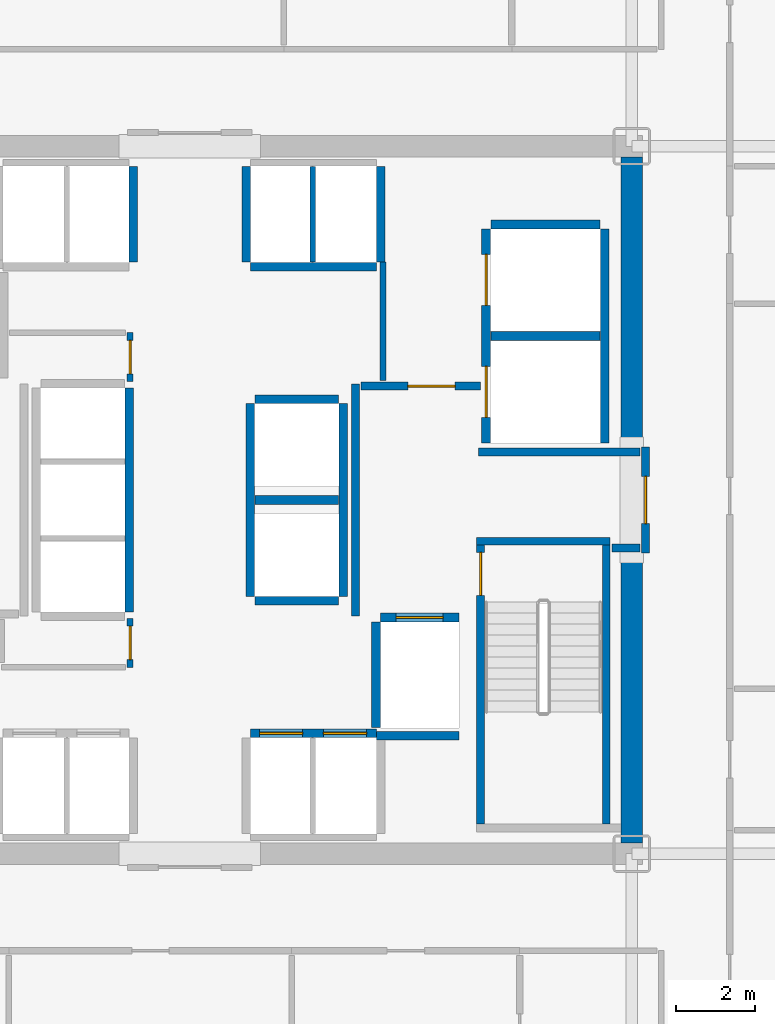
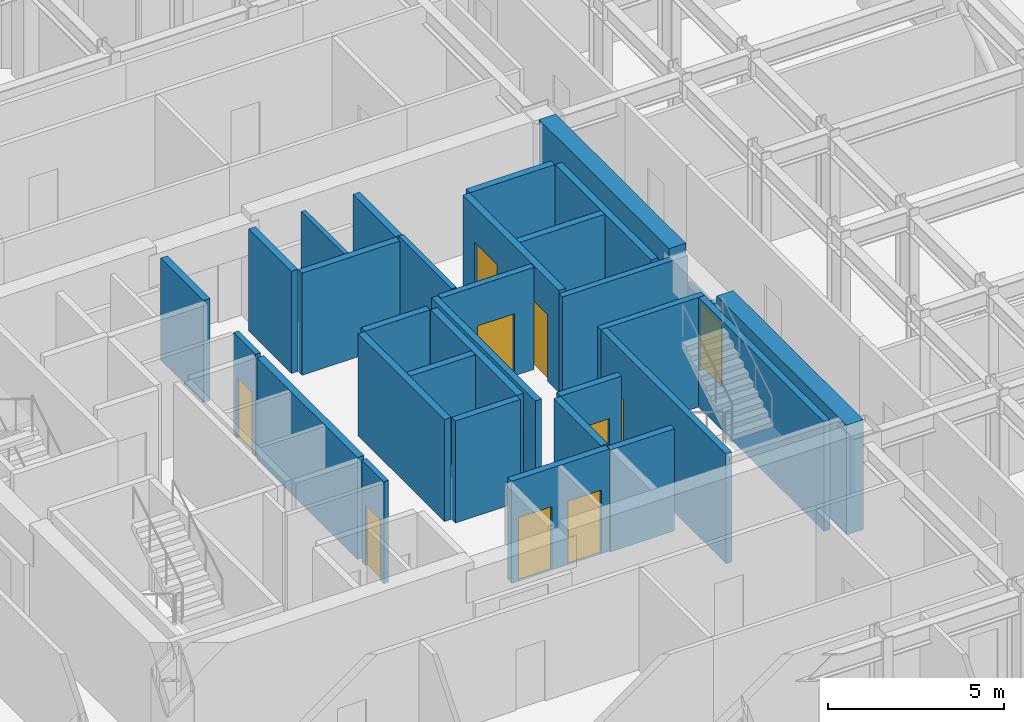
# One storey, part 22 of 27: 32 walls, 10 doors, 10 openings.
"""IFC4 building model written with IfcOpenShell, lengths in metres."""

from ifc_helpers import new_model, si_unit, direction, frame, frame_2d, origin, place, context, subcontext, project, spatial, rectangle, extrude, source, transform, mapped, material, layer, layer_set, type_object, element, fill, save


model = new_model("IFC4")

# Units and contexts
model_context = context("Model", 3, precision=1e-05, world=origin(), true_north=direction((0.0, 1.0)))
body_context = subcontext(model_context, "Body", "Model", "MODEL_VIEW")
ifc_project = project(units=[si_unit("LENGTHUNIT", "METRE"), si_unit("AREAUNIT", "SQUARE_METRE"), si_unit("VOLUMEUNIT", "CUBIC_METRE"), si_unit("PLANEANGLEUNIT", "RADIAN"), si_unit("MASSUNIT", "GRAM", prefix="KILO")], contexts=[model_context])

# Site, building, storey
site_placement = place(None, origin())
site = spatial("IfcSite", under=ifc_project, at=site_placement, CompositionType="ELEMENT")
building_placement = place(site_placement, origin())
building = spatial("IfcBuilding", under=site, at=building_placement, Name="Nefas-Gora Pilgrimage Tower", CompositionType="ELEMENT")
storey_placement = place(building_placement, frame((0.0, 0.0, 148.800048828125)))
storey = spatial("IfcBuildingStorey", under=building, at=storey_placement, Name="L36", CompositionType="ELEMENT", Elevation=148.800048828125)

# Walls
ifc_material_1 = material(Name="Concrete C60/75", Category="concrete")
ifc_layer_1 = layer(ifc_material_1, 0.550048828125)
ifc_layer_set_1 = layer_set([ifc_layer_1], Name="Concrete C60/75")
wall_type_1 = type_object("IfcWallType", Name="SW-CORE-550", PredefinedType="SHEAR", material=ifc_layer_set_1)
shared_shape_1 = source(origin(), body_context, "Body", "SweptSolid", [
    extrude(rectangle(XDim=7.375, YDim=0.550048828125, at=frame_2d((3.6875, 0.0))), origin(), (0.0, 0.0, 1.0), 3.800048828125),
])
for number, where, z_axis, x_axis, name in (
    (1, (11.25, -8.72509765625, 0.0), (0.0, 0.0, 1.0), (0.0, 1.0, 0.0), "L36 Core Shear Wall E-South"),
    (2, (11.25, 1.35009765625, 0.0), (0.0, 0.0, 1.0), (0.0, 1.0, 0.0), "L36 Core Shear Wall E-North"),
):
    element("IfcWall", number, at=place(storey_placement, frame(where, z_axis=z_axis, x_axis=x_axis)), inside=storey, type_object=wall_type_1, Name=name, PredefinedType="SHEAR", context=body_context, shape_type="MappedRepresentation", body=[
        mapped(shared_shape_1, transform((0.0, 0.0, 0.0), x_axis=(1.0, 0.0, 0.0), y_axis=(0.0, 1.0, 0.0), z_axis=(0.0, 0.0, 1.0), scale=1.0)),
    ])
ifc_material_2 = material(Name="Concrete C45/55", Category="concrete")
ifc_layer_2 = layer(ifc_material_2, 0.199951171875)
ifc_layer_set_2 = layer_set([ifc_layer_2], Name="Concrete C45/55")
wall_type_2 = type_object("IfcWallType", Name="IW-STAIR-200", PredefinedType="SOLIDWALL", material=ifc_layer_set_2)
shared_shape_2 = source(origin(), body_context, "Body", "SweptSolid", [
    extrude(rectangle(XDim=3.39990234375, YDim=0.199951171875, at=frame_2d((1.699951171875, 0.0))), origin(), (0.0, 0.0, 1.0), 3.800048828125),
])
wall_1_placement = place(storey_placement, frame((7.300048828125, -1.050048828125, 0.0), z_axis=(0.0, 0.0, 1.0), x_axis=(1.0, 0.0, 0.0)))
element("IfcWall", 3, at=wall_1_placement, inside=storey, type_object=wall_type_2, Name="L36 Stairwell Shear Wall ST-02-near", PredefinedType="SOLIDWALL", context=body_context, shape_type="MappedRepresentation", body=[
    mapped(shared_shape_2, transform((0.0, 0.0, 0.0), x_axis=(1.0, 0.0, 0.0), y_axis=(0.0, 1.0, 0.0), z_axis=(0.0, 0.0, 1.0), scale=1.0)),
])

# Wall, opening, door
shared_shape_3 = source(origin(), body_context, "Body", "SweptSolid", [
    extrude(rectangle(XDim=7.10009765625, YDim=0.199951171875, at=frame_2d((3.550048828125, 0.0))), origin(), (0.0, 0.0, 1.0), 3.800048828125),
])
wall_2_placement = place(storey_placement, frame((7.39990234375, -1.14990234375, 0.0), z_axis=(0.0, 0.0, 1.0), x_axis=(0.0, -1.0, 0.0)))
wall_2 = element("IfcWall", 4, at=wall_2_placement, inside=storey, type_object=wall_type_2, Name="L36 Stairwell Shear Wall ST-02-left", PredefinedType="SOLIDWALL", context=body_context, shape_type="MappedRepresentation", body=[
    mapped(shared_shape_3, transform((0.0, 0.0, 0.0), x_axis=(1.0, 0.0, 0.0), y_axis=(0.0, 1.0, 0.0), z_axis=(0.0, 0.0, 1.0), scale=1.0)),
])
opening_1_placement = place(wall_2_placement, frame((0.179931640625, 0.0, 0.0)))
opening_1 = element("IfcOpeningElement", 5, at=opening_1_placement, cuts=wall_2, Name="Opening ID-ST1", PredefinedType="OPENING", context=body_context, shape_type="SweptSolid", body=[
    extrude(rectangle(XDim=1.10009765625, YDim=2.14990234375, at=frame_2d((0.550048828125, 1.074951171875))), frame((0.0, 0.10986328125, 0.0), z_axis=(0.0, -1.0, 0.0), x_axis=(1.0, 0.0, 0.0)), (0.0, 0.0, 1.0), 0.219970703125),
])
ifc_material_3 = material(Name="Painted galvanised steel fire stair door", Category="steel")
door_type_1 = type_object("IfcDoorType", Name="DR-INT-STAIR-1100", OperationType="NOTDEFINED", PredefinedType="DOOR", material=ifc_material_3)
shared_shape_4 = source(origin(), body_context, "Body", "SweptSolid", [
    extrude(rectangle(XDim=1.10009765625, YDim=2.14990234375, at=frame_2d((0.550048828125, 1.074951171875))), frame((0.0, 0.02490234375, 0.0), z_axis=(0.0, -1.0, 0.0), x_axis=(1.0, 0.0, 0.0)), (0.0, 0.0, 1.0), 0.050048828125),
])
door_1_placement = place(opening_1_placement, origin())
door_1 = element("IfcDoor", 6, at=door_1_placement, inside=storey, type_object=door_type_1, Name="L36 Protected Exit Stair Door ST-02", OperationType="SINGLE_SWING_LEFT", OverallHeight=2.14990234375, OverallWidth=1.10009765625, PredefinedType="DOOR", context=body_context, shape_type="MappedRepresentation", body=[
    mapped(shared_shape_4, transform((0.0, 0.0, 0.0), x_axis=(1.0, 0.0, 0.0), y_axis=(0.0, 1.0, 0.0), z_axis=(0.0, 0.0, 1.0), scale=1.0)),
])
fill(opening_1, door_1)

# Wall
wall_3_placement = place(storey_placement, frame((10.60009765625, -1.14990234375, 0.0), z_axis=(0.0, 0.0, 1.0), x_axis=(0.0, -1.0, 0.0)))
element("IfcWall", 7, at=wall_3_placement, inside=storey, type_object=wall_type_2, Name="L36 Stairwell Shear Wall ST-02-right", PredefinedType="SOLIDWALL", context=body_context, shape_type="MappedRepresentation", body=[
    mapped(shared_shape_3, transform((0.0, 0.0, 0.0), x_axis=(1.0, 0.0, 0.0), y_axis=(0.0, 1.0, 0.0), z_axis=(0.0, 0.0, 1.0), scale=1.0)),
])

# Wall, opening, door
ifc_material_4 = material(Name="Concrete C40/50", Category="concrete")
ifc_layer_3 = layer(ifc_material_4, 0.219970703125)
ifc_layer_set_3 = layer_set([ifc_layer_3], Name="Concrete C40/50")
wall_type_3 = type_object("IfcWallType", Name="IW-SHAFT-220", PredefinedType="SOLIDWALL", material=ifc_layer_set_3)
shared_shape_5 = source(origin(), body_context, "Body", "SweptSolid", [
    extrude(rectangle(XDim=2.0, YDim=0.219970703125, at=frame_2d((1.0, 0.0))), origin(), (0.0, 0.0, 1.0), 3.534912109375),
])
wall_4_placement = place(storey_placement, frame((6.85009765625, -2.989990234375, 0.0), z_axis=(0.0, 0.0, 1.0), x_axis=(-1.0, 0.0, 0.0)))
wall_4 = element("IfcWall", 8, at=wall_4_placement, inside=storey, type_object=wall_type_3, Name="L36 Hoistway Wall FFL-02-N", PredefinedType="SOLIDWALL", context=body_context, shape_type="MappedRepresentation", body=[
    mapped(shared_shape_5, transform((0.0, 0.0, 0.0), x_axis=(1.0, 0.0, 0.0), y_axis=(0.0, 1.0, 0.0), z_axis=(0.0, 0.0, 1.0), scale=1.0)),
])
opening_2_placement = place(wall_4_placement, frame((0.39990234375, 0.0, 0.0)))
opening_2 = element("IfcOpeningElement", 9, at=opening_2_placement, cuts=wall_4, Name="Opening LD-FF", PredefinedType="OPENING", context=body_context, shape_type="SweptSolid", body=[
    extrude(rectangle(XDim=1.199951171875, YDim=2.199951171875, at=frame_2d((0.60009765625, 1.10009765625))), frame((0.0, 0.119873046875, 0.0), z_axis=(0.0, -1.0, 0.0), x_axis=(1.0, 0.0, 0.0)), (0.0, 0.0, 1.0), 0.239990234375),
])
ifc_material_5 = material(Name="Fire-service sliding lift landing door")
door_type_2 = type_object("IfcDoorType", Name="DR-LIFT-FSAE-1200", OperationType="SLIDING_TO_LEFT", PredefinedType="DOOR", material=ifc_material_5)
shared_shape_6 = source(origin(), body_context, "Body", "SweptSolid", [
    extrude(rectangle(XDim=1.199951171875, YDim=2.199951171875, at=frame_2d((0.60009765625, 1.10009765625))), frame((0.0, 0.02490234375, 0.0), z_axis=(0.0, -1.0, 0.0), x_axis=(1.0, 0.0, 0.0)), (0.0, 0.0, 1.0), 0.050048828125),
])
door_2_placement = place(opening_2_placement, origin())
door_2 = element("IfcDoor", 10, at=door_2_placement, inside=storey, type_object=door_type_2, Name="L36 Sliding Lift Landing Door FFL-02", OperationType="SLIDING_TO_LEFT", OverallHeight=2.199951171875, OverallWidth=1.199951171875, PredefinedType="DOOR", context=body_context, shape_type="MappedRepresentation", body=[
    mapped(shared_shape_6, transform((0.0, 0.0, 0.0), x_axis=(1.0, 0.0, 0.0), y_axis=(0.0, 1.0, 0.0), z_axis=(0.0, 0.0, 1.0), scale=1.0)),
])
fill(opening_2, door_2)

# Wall
shared_shape_7 = source(origin(), body_context, "Body", "SweptSolid", [
    extrude(rectangle(XDim=2.679931640625, YDim=0.219970703125, at=frame_2d((1.33984375, 0.0))), origin(), (0.0, 0.0, 1.0), 3.534912109375),
])
wall_5_placement = place(storey_placement, frame((4.739990234375, -3.110107421875, 0.0), z_axis=(0.0, 0.0, 1.0), x_axis=(0.0, -1.0, 0.0)))
element("IfcWall", 11, at=wall_5_placement, inside=storey, type_object=wall_type_3, Name="L36 Hoistway Wall FFL-02-W", PredefinedType="SOLIDWALL", context=body_context, shape_type="MappedRepresentation", body=[
    mapped(shared_shape_7, transform((0.0, 0.0, 0.0), x_axis=(1.0, 0.0, 0.0), y_axis=(0.0, 1.0, 0.0), z_axis=(0.0, 0.0, 1.0), scale=1.0)),
])

# Wall, openings, doors
shared_shape_8 = source(origin(), body_context, "Body", "SweptSolid", [
    extrude(rectangle(XDim=5.449951171875, YDim=0.219970703125, at=frame_2d((2.72509765625, 0.0))), origin(), (0.0, 0.0, 1.0), 3.534912109375),
])
wall_6_placement = place(storey_placement, frame((7.5400390625, 6.89990234375, 0.0), z_axis=(0.0, 0.0, 1.0), x_axis=(0.0, -1.0, 0.0)))
wall_6 = element("IfcWall", 12, at=wall_6_placement, inside=storey, type_object=wall_type_3, Name="L36 Hoistway Wall SL-01-02-W", PredefinedType="SOLIDWALL", context=body_context, shape_type="MappedRepresentation", body=[
    mapped(shared_shape_8, transform((0.0, 0.0, 0.0), x_axis=(1.0, 0.0, 0.0), y_axis=(0.0, 1.0, 0.0), z_axis=(0.0, 0.0, 1.0), scale=1.0)),
])
opening_3_placement = place(wall_6_placement, frame((3.5, 0.0, 0.0)))
opening_3 = element("IfcOpeningElement", 13, at=opening_3_placement, cuts=wall_6, Name="Opening LD-SV", PredefinedType="OPENING", context=body_context, shape_type="SweptSolid", body=[
    extrude(rectangle(XDim=1.300048828125, YDim=2.300048828125, at=frame_2d((0.64990234375, 1.14990234375))), frame((0.0, 0.119873046875, 0.0), z_axis=(0.0, -1.0, 0.0), x_axis=(1.0, 0.0, 0.0)), (0.0, 0.0, 1.0), 0.239990234375),
])
opening_4_placement = place(wall_6_placement, frame((0.64990234375, 0.0, 0.0)))
opening_4 = element("IfcOpeningElement", 14, at=opening_4_placement, cuts=wall_6, Name="Opening LD-SV", PredefinedType="OPENING", context=body_context, shape_type="SweptSolid", body=[
    extrude(rectangle(XDim=1.300048828125, YDim=2.300048828125, at=frame_2d((0.64990234375, 1.14990234375))), frame((0.0, 0.119873046875, 0.0), z_axis=(0.0, -1.0, 0.0), x_axis=(1.0, 0.0, 0.0)), (0.0, 0.0, 1.0), 0.239990234375),
])
ifc_material_6 = material(Name="Heavy goods sliding lift landing door")
door_type_3 = type_object("IfcDoorType", Name="DR-LIFT-SERV-1300", OperationType="SLIDING_TO_RIGHT", PredefinedType="DOOR", material=ifc_material_6)
shared_shape_9 = source(origin(), body_context, "Body", "SweptSolid", [
    extrude(rectangle(XDim=1.300048828125, YDim=2.300048828125, at=frame_2d((0.64990234375, 1.14990234375))), frame((0.0, 0.02490234375, 0.0), z_axis=(0.0, -1.0, 0.0), x_axis=(1.0, 0.0, 0.0)), (0.0, 0.0, 1.0), 0.050048828125),
])
door_3_placement = place(opening_3_placement, origin())
door_3 = element("IfcDoor", 15, at=door_3_placement, inside=storey, type_object=door_type_3, Name="L36 Sliding Lift Landing Door SL-01", OperationType="SLIDING_TO_RIGHT", OverallHeight=2.300048828125, OverallWidth=1.300048828125, PredefinedType="DOOR", context=body_context, shape_type="MappedRepresentation", body=[
    mapped(shared_shape_9, transform((0.0, 0.0, 0.0), x_axis=(1.0, 0.0, 0.0), y_axis=(0.0, 1.0, 0.0), z_axis=(0.0, 0.0, 1.0), scale=1.0)),
])
fill(opening_3, door_3)
door_4_placement = place(opening_4_placement, origin())
door_4 = element("IfcDoor", 16, at=door_4_placement, inside=storey, type_object=door_type_3, Name="L36 Sliding Lift Landing Door SL-02", OperationType="SLIDING_TO_RIGHT", OverallHeight=2.300048828125, OverallWidth=1.300048828125, PredefinedType="DOOR", context=body_context, shape_type="MappedRepresentation", body=[
    mapped(shared_shape_9, transform((0.0, 0.0, 0.0), x_axis=(1.0, 0.0, 0.0), y_axis=(0.0, 1.0, 0.0), z_axis=(0.0, 0.0, 1.0), scale=1.0)),
])
fill(opening_4, door_4)

# Walls
wall_7_placement = place(storey_placement, frame((10.56005859375, 1.449951171875, 0.0), z_axis=(0.0, 0.0, 1.0), x_axis=(0.0, 1.0, 0.0)))
element("IfcWall", 17, at=wall_7_placement, inside=storey, type_object=wall_type_3, Name="L36 Hoistway Wall SL-01-02-E", PredefinedType="SOLIDWALL", context=body_context, shape_type="MappedRepresentation", body=[
    mapped(shared_shape_8, transform((0.0, 0.0, 0.0), x_axis=(1.0, 0.0, 0.0), y_axis=(0.0, 1.0, 0.0), z_axis=(0.0, 0.0, 1.0), scale=1.0)),
])
shared_shape_10 = source(origin(), body_context, "Body", "SweptSolid", [
    extrude(rectangle(XDim=2.780029296875, YDim=0.219970703125, at=frame_2d((1.39013671875, 0.0))), origin(), (0.0, 0.0, 1.0), 3.534912109375),
])
for number, where, z_axis, x_axis, name in (
    (18, (7.659912109375, 4.175048828125, 0.0), (0.0, 0.0, 1.0), (1.0, 0.0, 0.0), "L36 Hoistway Wall SL-01-02-DIV"),
    (19, (10.43994140625, 7.010009765625, 0.0), (0.0, 0.0, 1.0), (-1.0, 0.0, 0.0), "L36 Hoistway Wall SL-02-N"),
):
    element("IfcWall", number, at=place(storey_placement, frame(where, z_axis=z_axis, x_axis=x_axis)), inside=storey, type_object=wall_type_3, Name=name, PredefinedType="SOLIDWALL", context=body_context, shape_type="MappedRepresentation", body=[
        mapped(shared_shape_10, transform((0.0, 0.0, 0.0), x_axis=(1.0, 0.0, 0.0), y_axis=(0.0, 1.0, 0.0), z_axis=(0.0, 0.0, 1.0), scale=1.0)),
    ])
shared_shape_11 = source(origin(), body_context, "Body", "SweptSolid", [
    extrude(rectangle(XDim=3.199951171875, YDim=0.219970703125, at=frame_2d((1.60009765625, 0.0))), origin(), (0.0, 0.0, 1.0), 3.534912109375),
])
wall_8_placement = place(storey_placement, frame((1.550048828125, 5.93994140625, 0.0), z_axis=(0.0, 0.0, 1.0), x_axis=(1.0, 0.0, 0.0)))
element("IfcWall", 20, at=wall_8_placement, inside=storey, type_object=wall_type_3, Name="L36 Hoistway Wall PL1-E-S", PredefinedType="SOLIDWALL", context=body_context, shape_type="MappedRepresentation", body=[
    mapped(shared_shape_11, transform((0.0, 0.0, 0.0), x_axis=(1.0, 0.0, 0.0), y_axis=(0.0, 1.0, 0.0), z_axis=(0.0, 0.0, 1.0), scale=1.0)),
])

# Wall, openings, doors
wall_9_placement = place(storey_placement, frame((4.75, -5.93994140625, 0.0), z_axis=(0.0, 0.0, 1.0), x_axis=(-1.0, 0.0, 0.0)))
wall_9 = element("IfcWall", 21, at=wall_9_placement, inside=storey, type_object=wall_type_3, Name="L36 Hoistway Wall PL2-E-N", PredefinedType="SOLIDWALL", context=body_context, shape_type="MappedRepresentation", body=[
    mapped(shared_shape_11, transform((0.0, 0.0, 0.0), x_axis=(1.0, 0.0, 0.0), y_axis=(0.0, 1.0, 0.0), z_axis=(0.0, 0.0, 1.0), scale=1.0)),
])
opening_5_placement = place(wall_9_placement, frame((1.875, 0.0, 0.0)))
opening_5 = element("IfcOpeningElement", 22, at=opening_5_placement, cuts=wall_9, Name="Opening LD-01", PredefinedType="OPENING", context=body_context, shape_type="SweptSolid", body=[
    extrude(rectangle(XDim=1.10009765625, YDim=2.199951171875, at=frame_2d((0.550048828125, 1.10009765625))), frame((0.0, 0.119873046875, 0.0), z_axis=(0.0, -1.0, 0.0), x_axis=(1.0, 0.0, 0.0)), (0.0, 0.0, 1.0), 0.239990234375),
])
opening_6_placement = place(wall_9_placement, frame((0.25, 0.0, 0.0)))
opening_6 = element("IfcOpeningElement", 23, at=opening_6_placement, cuts=wall_9, Name="Opening LD-01", PredefinedType="OPENING", context=body_context, shape_type="SweptSolid", body=[
    extrude(rectangle(XDim=1.10009765625, YDim=2.199951171875, at=frame_2d((0.550048828125, 1.10009765625))), frame((0.0, 0.119873046875, 0.0), z_axis=(0.0, -1.0, 0.0), x_axis=(1.0, 0.0, 0.0)), (0.0, 0.0, 1.0), 0.239990234375),
])
ifc_material_7 = material(Name="Brushed stainless sliding lift landing door")
door_type_4 = type_object("IfcDoorType", Name="DR-LIFT-PASS-1100", OperationType="DOUBLE_DOOR_SLIDING", PredefinedType="DOOR", material=ifc_material_7)
shared_shape_12 = source(origin(), body_context, "Body", "SweptSolid", [
    extrude(rectangle(XDim=1.10009765625, YDim=2.199951171875, at=frame_2d((0.550048828125, 1.10009765625))), frame((0.0, 0.02490234375, 0.0), z_axis=(0.0, -1.0, 0.0), x_axis=(1.0, 0.0, 0.0)), (0.0, 0.0, 1.0), 0.050048828125),
])
door_5_placement = place(opening_5_placement, origin())
door_5 = element("IfcDoor", 24, at=door_5_placement, inside=storey, type_object=door_type_4, Name="L36 Sliding Lift Landing Door PL2-03", OperationType="DOUBLE_DOOR_SLIDING", OverallHeight=2.199951171875, OverallWidth=1.10009765625, PredefinedType="DOOR", context=body_context, shape_type="MappedRepresentation", body=[
    mapped(shared_shape_12, transform((0.0, 0.0, 0.0), x_axis=(1.0, 0.0, 0.0), y_axis=(0.0, 1.0, 0.0), z_axis=(0.0, 0.0, 1.0), scale=1.0)),
])
fill(opening_5, door_5)
door_6_placement = place(opening_6_placement, origin())
door_6 = element("IfcDoor", 25, at=door_6_placement, inside=storey, type_object=door_type_4, Name="L36 Sliding Lift Landing Door PL2-04", OperationType="DOUBLE_DOOR_SLIDING", OverallHeight=2.199951171875, OverallWidth=1.10009765625, PredefinedType="DOOR", context=body_context, shape_type="MappedRepresentation", body=[
    mapped(shared_shape_12, transform((0.0, 0.0, 0.0), x_axis=(1.0, 0.0, 0.0), y_axis=(0.0, 1.0, 0.0), z_axis=(0.0, 0.0, 1.0), scale=1.0)),
])
fill(opening_6, door_6)

# Walls
shared_shape_13 = source(origin(), body_context, "Body", "SweptSolid", [
    extrude(rectangle(XDim=2.429931640625, YDim=0.219970703125, at=frame_2d((1.21484375, 0.0))), origin(), (0.0, 0.0, 1.0), 3.534912109375),
])
for number, where, z_axis, x_axis, name in (
    (26, (-1.43994140625, 6.06005859375, 0.0), (0.0, 0.0, 1.0), (0.0, 1.0, 0.0), "L36 Hoistway Wall PL1-W-E"),
    (27, (1.43994140625, 8.489990234375, 0.0), (0.0, 0.0, 1.0), (0.0, -1.0, 0.0), "L36 Hoistway Wall PL1-E-W"),
    (28, (4.860107421875, 6.06005859375, 0.0), (0.0, 0.0, 1.0), (0.0, 1.0, 0.0), "L36 Hoistway Wall PL1-E-E"),
):
    element("IfcWall", number, at=place(storey_placement, frame(where, z_axis=z_axis, x_axis=x_axis)), inside=storey, type_object=wall_type_3, Name=name, PredefinedType="SOLIDWALL", context=body_context, shape_type="MappedRepresentation", body=[
        mapped(shared_shape_13, transform((0.0, 0.0, 0.0), x_axis=(1.0, 0.0, 0.0), y_axis=(0.0, 1.0, 0.0), z_axis=(0.0, 0.0, 1.0), scale=1.0)),
    ])
ifc_material_8 = material(Name="Gypsum twin-stud partition")
ifc_layer_4 = layer(ifc_material_8, 0.139892578125)
ifc_layer_set_4 = layer_set([ifc_layer_4], Name="Gypsum twin-stud partition")
wall_type_4 = type_object("IfcWallType", Name="IW-UNIT-140", PredefinedType="PARTITIONING", material=ifc_layer_set_4)
shared_shape_14 = source(origin(), body_context, "Body", "SweptSolid", [
    extrude(rectangle(XDim=2.429931640625, YDim=0.139892578125, at=frame_2d((1.21484375, 0.0))), origin(), (0.0, 0.0, 1.0), 3.534912109375),
])
wall_10_placement = place(storey_placement, frame((3.125, 6.06005859375, 0.0), z_axis=(0.0, 0.0, 1.0), x_axis=(0.0, 1.0, 0.0)))
element("IfcWall", 29, at=wall_10_placement, inside=storey, type_object=wall_type_4, Name="L36 Hoistway Wall PL1-E-DIV", PredefinedType="PARTITIONING", context=body_context, shape_type="MappedRepresentation", body=[
    mapped(shared_shape_14, transform((0.0, 0.0, 0.0), x_axis=(1.0, 0.0, 0.0), y_axis=(0.0, 1.0, 0.0), z_axis=(0.0, 0.0, 1.0), scale=1.0)),
])
shared_shape_15 = source(origin(), body_context, "Body", "SweptSolid", [
    extrude(rectangle(XDim=5.7001953125, YDim=0.219970703125, at=frame_2d((2.85009765625, 0.0))), origin(), (0.0, 0.0, 1.0), 3.534912109375),
])
wall_11_placement = place(storey_placement, frame((-1.5400390625, -2.85009765625, 0.0), z_axis=(0.0, 0.0, 1.0), x_axis=(0.0, 1.0, 0.0)))
element("IfcWall", 30, at=wall_11_placement, inside=storey, type_object=wall_type_3, Name="L36 Hoistway Wall PL3-01-03-E", PredefinedType="SOLIDWALL", context=body_context, shape_type="MappedRepresentation", body=[
    mapped(shared_shape_15, transform((0.0, 0.0, 0.0), x_axis=(1.0, 0.0, 0.0), y_axis=(0.0, 1.0, 0.0), z_axis=(0.0, 0.0, 1.0), scale=1.0)),
])
shared_shape_16 = source(origin(), body_context, "Body", "SweptSolid", [
    extrude(rectangle(XDim=2.130126953125, YDim=0.219970703125, at=frame_2d((1.06494140625, 0.0))), origin(), (0.0, 0.0, 1.0), 3.534912109375),
])
for number, where, z_axis, x_axis, name in (
    (31, (1.659912109375, -2.56005859375, 0.0), (0.0, 0.0, 1.0), (1.0, 0.0, 0.0), "L36 Hoistway Wall OBS-01-S"),
    (32, (1.659912109375, 0.0, 0.0), (0.0, 0.0, 1.0), (1.0, 0.0, 0.0), "L36 Hoistway Wall OBS-01-02-DIV"),
    (33, (3.7900390625, 2.56005859375, 0.0), (0.0, 0.0, 1.0), (-1.0, 0.0, 0.0), "L36 Hoistway Wall OBS-02-N"),
):
    element("IfcWall", number, at=place(storey_placement, frame(where, z_axis=z_axis, x_axis=x_axis)), inside=storey, type_object=wall_type_3, Name=name, PredefinedType="SOLIDWALL", context=body_context, shape_type="MappedRepresentation", body=[
        mapped(shared_shape_16, transform((0.0, 0.0, 0.0), x_axis=(1.0, 0.0, 0.0), y_axis=(0.0, 1.0, 0.0), z_axis=(0.0, 0.0, 1.0), scale=1.0)),
    ])
shared_shape_17 = source(origin(), body_context, "Body", "SweptSolid", [
    extrude(rectangle(XDim=4.89990234375, YDim=0.219970703125, at=frame_2d((2.449951171875, 0.0))), origin(), (0.0, 0.0, 1.0), 3.534912109375),
])
for number, where, z_axis, x_axis, name in (
    (34, (1.5400390625, 2.449951171875, 0.0), (0.0, 0.0, 1.0), (0.0, -1.0, 0.0), "L36 Hoistway Wall OBS-01-02-W"),
    (35, (3.909912109375, -2.449951171875, 0.0), (0.0, 0.0, 1.0), (0.0, 1.0, 0.0), "L36 Hoistway Wall OBS-01-02-E"),
):
    element("IfcWall", number, at=place(storey_placement, frame(where, z_axis=z_axis, x_axis=x_axis)), inside=storey, type_object=wall_type_3, Name=name, PredefinedType="SOLIDWALL", context=body_context, shape_type="MappedRepresentation", body=[
        mapped(shared_shape_17, transform((0.0, 0.0, 0.0), x_axis=(1.0, 0.0, 0.0), y_axis=(0.0, 1.0, 0.0), z_axis=(0.0, 0.0, 1.0), scale=1.0)),
    ])
shared_shape_18 = source(origin(), body_context, "Body", "SweptSolid", [
    extrude(rectangle(XDim=2.09521484375, YDim=0.219970703125, at=frame_2d((1.047607421875, 0.0))), origin(), (0.0, 0.0, 1.0), 3.534912109375),
])
wall_12_placement = place(storey_placement, frame((4.7548828125, -6.0, 0.0), z_axis=(0.0, 0.0, 1.0), x_axis=(1.0, 0.0, 0.0)))
element("IfcWall", 36, at=wall_12_placement, inside=storey, type_object=wall_type_3, Name="L36 Riser Shaft Wall 2", PredefinedType="SOLIDWALL", context=body_context, shape_type="MappedRepresentation", body=[
    mapped(shared_shape_18, transform((0.0, 0.0, 0.0), x_axis=(1.0, 0.0, 0.0), y_axis=(0.0, 1.0, 0.0), z_axis=(0.0, 0.0, 1.0), scale=1.0)),
])

# Wall, opening, door
ifc_material_9 = material(Name="Gypsum fire-rated shaftwall")
ifc_layer_5 = layer(ifc_material_9, 0.199951171875)
ifc_layer_set_5 = layer_set([ifc_layer_5], Name="Gypsum fire-rated shaftwall")
wall_type_5 = type_object("IfcWallType", Name="IW-FFLOB-200", PredefinedType="PARTITIONING", material=ifc_layer_set_5)
shared_shape_19 = source(origin(), body_context, "Body", "SweptSolid", [
    extrude(rectangle(XDim=2.7001953125, YDim=0.199951171875, at=frame_2d((1.35009765625, 0.0))), origin(), (0.0, 0.0, 1.0), 2.425048828125),
])
wall_13_placement = place(storey_placement, frame((11.60009765625, -1.35009765625, 0.0), z_axis=(0.0, 0.0, 1.0), x_axis=(0.0, 1.0, 0.0)))
wall_13 = element("IfcWall", 37, at=wall_13_placement, inside=storey, type_object=wall_type_5, Name="L36 FF Lobby East Portal Wall 8", PredefinedType="PARTITIONING", context=body_context, shape_type="MappedRepresentation", body=[
    mapped(shared_shape_19, transform((0.0, 0.0, 0.0), x_axis=(1.0, 0.0, 0.0), y_axis=(0.0, 1.0, 0.0), z_axis=(0.0, 0.0, 1.0), scale=1.0)),
])
opening_7_placement = place(wall_13_placement, frame((0.75, 0.0, 0.0)))
opening_7 = element("IfcOpeningElement", 38, at=opening_7_placement, cuts=wall_13, Name="Opening ID-FF1", PredefinedType="OPENING", context=body_context, shape_type="SweptSolid", body=[
    extrude(rectangle(XDim=1.199951171875, YDim=2.14990234375, at=frame_2d((0.60009765625, 1.074951171875))), frame((0.0, 0.10986328125, 0.0), z_axis=(0.0, -1.0, 0.0), x_axis=(1.0, 0.0, 0.0)), (0.0, 0.0, 1.0), 0.219970703125),
])
ifc_material_10 = material(Name="Smoke-sealed steel firefighting lobby door", Category="steel")
door_type_5 = type_object("IfcDoorType", Name="DR-INT-FFLOB-1200", OperationType="NOTDEFINED", PredefinedType="DOOR", material=ifc_material_10)
shared_shape_20 = source(origin(), body_context, "Body", "SweptSolid", [
    extrude(rectangle(XDim=1.199951171875, YDim=2.14990234375, at=frame_2d((0.60009765625, 1.074951171875))), frame((0.0, 0.02490234375, 0.0), z_axis=(0.0, -1.0, 0.0), x_axis=(1.0, 0.0, 0.0)), (0.0, 0.0, 1.0), 0.050048828125),
])
door_7_placement = place(opening_7_placement, origin())
door_7 = element("IfcDoor", 39, at=door_7_placement, inside=storey, type_object=door_type_5, Name="L36 FF Lobby East Portal Door 2", OperationType="SINGLE_SWING_RIGHT", OverallHeight=2.14990234375, OverallWidth=1.199951171875, PredefinedType="DOOR", context=body_context, shape_type="MappedRepresentation", body=[
    mapped(shared_shape_20, transform((0.0, 0.0, 0.0), x_axis=(1.0, 0.0, 0.0), y_axis=(0.0, 1.0, 0.0), z_axis=(0.0, 0.0, 1.0), scale=1.0)),
])
fill(opening_7, door_7)

# Walls
shared_shape_21 = source(origin(), body_context, "Body", "SweptSolid", [
    extrude(rectangle(XDim=5.89990234375, YDim=0.199951171875, at=frame_2d((2.949951171875, 0.0))), origin(), (0.0, 0.0, 1.0), 3.534912109375),
])
wall_14_placement = place(storey_placement, frame((4.219970703125, -2.949951171875, 0.0), z_axis=(0.0, 0.0, 1.0), x_axis=(0.0, 1.0, 0.0)))
element("IfcWall", 40, at=wall_14_placement, inside=storey, type_object=wall_type_5, Name="L36 FF Lobby East Inner Wall Wall 9", PredefinedType="PARTITIONING", context=body_context, shape_type="MappedRepresentation", body=[
    mapped(shared_shape_21, transform((0.0, 0.0, 0.0), x_axis=(1.0, 0.0, 0.0), y_axis=(0.0, 1.0, 0.0), z_axis=(0.0, 0.0, 1.0), scale=1.0)),
])
shared_shape_22 = source(origin(), body_context, "Body", "SweptSolid", [
    extrude(rectangle(XDim=0.719970703125, YDim=0.199951171875, at=frame_2d((0.35986328125, 0.0))), origin(), (0.0, 0.0, 1.0), 3.534912109375),
])
wall_15_placement = place(storey_placement, frame((10.739990234375, -1.219970703125, 0.0), z_axis=(0.0, 0.0, 1.0), x_axis=(1.0, 0.0, 0.0)))
element("IfcWall", 41, at=wall_15_placement, inside=storey, type_object=wall_type_5, Name="L36 FF Lobby East Throat S Wall 12", PredefinedType="PARTITIONING", context=body_context, shape_type="MappedRepresentation", body=[
    mapped(shared_shape_22, transform((0.0, 0.0, 0.0), x_axis=(1.0, 0.0, 0.0), y_axis=(0.0, 1.0, 0.0), z_axis=(0.0, 0.0, 1.0), scale=1.0)),
])

# Wall, opening, door
shared_shape_23 = source(origin(), body_context, "Body", "SweptSolid", [
    extrude(rectangle(XDim=3.039794921875, YDim=0.199951171875, at=frame_2d((1.52001953125, 0.0))), origin(), (0.0, 0.0, 1.0), 3.534912109375),
])
wall_16_placement = place(storey_placement, frame((4.360107421875, 2.89990234375, 0.0), z_axis=(0.0, 0.0, 1.0), x_axis=(1.0, 0.0, 0.0)))
wall_16 = element("IfcWall", 42, at=wall_16_placement, inside=storey, type_object=wall_type_5, Name="L36 FF Lobby East North Wall Wall 10", PredefinedType="PARTITIONING", context=body_context, shape_type="MappedRepresentation", body=[
    mapped(shared_shape_23, transform((0.0, 0.0, 0.0), x_axis=(1.0, 0.0, 0.0), y_axis=(0.0, 1.0, 0.0), z_axis=(0.0, 0.0, 1.0), scale=1.0)),
])
opening_8_placement = place(wall_16_placement, frame((1.18994140625, 0.0, 0.0)))
opening_8 = element("IfcOpeningElement", 43, at=opening_8_placement, cuts=wall_16, Name="Opening ID-PL1", PredefinedType="OPENING", context=body_context, shape_type="SweptSolid", body=[
    extrude(rectangle(XDim=1.199951171875, YDim=2.14990234375, at=frame_2d((0.60009765625, 1.074951171875))), frame((0.0, 0.10986328125, 0.0), z_axis=(0.0, -1.0, 0.0), x_axis=(1.0, 0.0, 0.0)), (0.0, 0.0, 1.0), 0.219970703125),
])
ifc_material_11 = material(Name="Heavy-duty steel plant room fire door", Category="steel")
door_type_6 = type_object("IfcDoorType", Name="DR-INT-PLANT-1200", OperationType="NOTDEFINED", PredefinedType="DOOR", material=ifc_material_11)
door_8_placement = place(opening_8_placement, origin())
door_8 = element("IfcDoor", 44, at=door_8_placement, inside=storey, type_object=door_type_6, Name="L36 Service Lift Lobby Door Door 3", OperationType="SINGLE_SWING_LEFT", OverallHeight=2.14990234375, OverallWidth=1.199951171875, PredefinedType="DOOR", context=body_context, shape_type="MappedRepresentation", body=[
    mapped(shared_shape_20, transform((0.0, 0.0, 0.0), x_axis=(1.0, 0.0, 0.0), y_axis=(0.0, 1.0, 0.0), z_axis=(0.0, 0.0, 1.0), scale=1.0)),
])
fill(opening_8, door_8)

# Walls
shared_shape_24 = source(origin(), body_context, "Body", "SweptSolid", [
    extrude(rectangle(XDim=4.10986328125, YDim=0.199951171875, at=frame_2d((2.054931640625, 0.0))), origin(), (0.0, 0.0, 1.0), 3.534912109375),
])
wall_17_placement = place(storey_placement, frame((7.35009765625, 1.219970703125, 0.0), z_axis=(0.0, 0.0, 1.0), x_axis=(1.0, 0.0, 0.0)))
element("IfcWall", 45, at=wall_17_placement, inside=storey, type_object=wall_type_5, Name="L36 FF Lobby East Throat N Wall 11", PredefinedType="PARTITIONING", context=body_context, shape_type="MappedRepresentation", body=[
    mapped(shared_shape_24, transform((0.0, 0.0, 0.0), x_axis=(1.0, 0.0, 0.0), y_axis=(0.0, 1.0, 0.0), z_axis=(0.0, 0.0, 1.0), scale=1.0)),
])
ifc_material_12 = material(Name="Gypsum acoustic stud partition")
ifc_layer_6 = layer(ifc_material_12, 0.159912109375)
ifc_layer_set_6 = layer_set([ifc_layer_6], Name="Gypsum acoustic stud partition")
wall_type_6 = type_object("IfcWallType", Name="IW-CORR-160", PredefinedType="PARTITIONING", material=ifc_layer_set_6)
shared_shape_25 = source(origin(), body_context, "Body", "SweptSolid", [
    extrude(rectangle(XDim=3.014892578125, YDim=0.159912109375, at=frame_2d((1.50732421875, 0.0))), origin(), (0.0, 0.0, 1.0), 3.534912109375),
])
wall_18_placement = place(storey_placement, frame((4.919921875, 3.0400390625, 0.0), z_axis=(0.0, 0.0, 1.0), x_axis=(0.0, 1.0, 0.0)))
element("IfcWall", 46, at=wall_18_placement, inside=storey, type_object=wall_type_6, Name="L36 Service Lift Lobby West Wall Wall 15", PredefinedType="PARTITIONING", context=body_context, shape_type="MappedRepresentation", body=[
    mapped(shared_shape_25, transform((0.0, 0.0, 0.0), x_axis=(1.0, 0.0, 0.0), y_axis=(0.0, 1.0, 0.0), z_axis=(0.0, 0.0, 1.0), scale=1.0)),
])

# Wall, opening, door
shared_shape_26 = source(origin(), body_context, "Body", "SweptSolid", [
    extrude(rectangle(XDim=1.25, YDim=0.159912109375, at=frame_2d((0.625, 0.0))), origin(), (0.0, 0.0, 1.0), 3.534912109375),
])
wall_19_placement = place(storey_placement, frame((-1.52001953125, 3.010009765625, 0.0), z_axis=(0.0, 0.0, 1.0), x_axis=(0.0, 1.0, 0.0)))
wall_19 = element("IfcWall", 47, at=wall_19_placement, inside=storey, type_object=wall_type_6, Name="L36 Housekeeping and Linen Store Wall 16", PredefinedType="PARTITIONING", context=body_context, shape_type="MappedRepresentation", body=[
    mapped(shared_shape_26, transform((0.0, 0.0, 0.0), x_axis=(1.0, 0.0, 0.0), y_axis=(0.0, 1.0, 0.0), z_axis=(0.0, 0.0, 1.0), scale=1.0)),
])
opening_9_placement = place(wall_19_placement, frame((0.199951171875, 0.0, 0.0)))
opening_9 = element("IfcOpeningElement", 48, at=opening_9_placement, cuts=wall_19, Name="Opening ID-BT1", PredefinedType="OPENING", context=body_context, shape_type="SweptSolid", body=[
    extrude(rectangle(XDim=0.85009765625, YDim=2.10009765625, at=frame_2d((0.425048828125, 1.050048828125))), frame((0.0, 0.08984375, 0.0), z_axis=(0.0, -1.0, 0.0), x_axis=(1.0, 0.0, 0.0)), (0.0, 0.0, 1.0), 0.179931640625),
])
ifc_material_13 = material(Name="Moisture-resistant fire-rated timber door", Category="wood")
door_type_7 = type_object("IfcDoorType", Name="DR-INT-BATH-850", OperationType="NOTDEFINED", PredefinedType="DOOR", material=ifc_material_13)
shared_shape_27 = source(origin(), body_context, "Body", "SweptSolid", [
    extrude(rectangle(XDim=0.85009765625, YDim=2.10009765625, at=frame_2d((0.425048828125, 1.050048828125))), frame((0.0, 0.02490234375, 0.0), z_axis=(0.0, -1.0, 0.0), x_axis=(1.0, 0.0, 0.0)), (0.0, 0.0, 1.0), 0.050048828125),
])
door_9_placement = place(opening_9_placement, origin())
door_9 = element("IfcDoor", 49, at=door_9_placement, inside=storey, type_object=door_type_7, Name="L36 Housekeeping and Linen Store Door 6", OperationType="SINGLE_SWING_RIGHT", OverallHeight=2.10009765625, OverallWidth=0.85009765625, PredefinedType="DOOR", context=body_context, shape_type="MappedRepresentation", body=[
    mapped(shared_shape_27, transform((0.0, 0.0, 0.0), x_axis=(1.0, 0.0, 0.0), y_axis=(0.0, 1.0, 0.0), z_axis=(0.0, 0.0, 1.0), scale=1.0)),
])
fill(opening_9, door_9)

wall_20_placement = place(storey_placement, frame((-1.52001953125, -4.260009765625, 0.0), z_axis=(0.0, 0.0, 1.0), x_axis=(0.0, 1.0, 0.0)))
wall_20 = element("IfcWall", 50, at=wall_20_placement, inside=storey, type_object=wall_type_6, Name="L36 Pilgrim Baggage and Gear Vault Wall 18", PredefinedType="PARTITIONING", context=body_context, shape_type="MappedRepresentation", body=[
    mapped(shared_shape_26, transform((0.0, 0.0, 0.0), x_axis=(1.0, 0.0, 0.0), y_axis=(0.0, 1.0, 0.0), z_axis=(0.0, 0.0, 1.0), scale=1.0)),
])
opening_10_placement = place(wall_20_placement, frame((0.199951171875, 0.0, 0.0)))
opening_10 = element("IfcOpeningElement", 51, at=opening_10_placement, cuts=wall_20, Name="Opening ID-BT1", PredefinedType="OPENING", context=body_context, shape_type="SweptSolid", body=[
    extrude(rectangle(XDim=0.85009765625, YDim=2.10009765625, at=frame_2d((0.425048828125, 1.050048828125))), frame((0.0, 0.08984375, 0.0), z_axis=(0.0, -1.0, 0.0), x_axis=(1.0, 0.0, 0.0)), (0.0, 0.0, 1.0), 0.179931640625),
])
door_10_placement = place(opening_10_placement, origin())
door_10 = element("IfcDoor", 52, at=door_10_placement, inside=storey, type_object=door_type_7, Name="L36 Pilgrim Baggage and Gear Vault Door 7", OperationType="SINGLE_SWING_LEFT", OverallHeight=2.10009765625, OverallWidth=0.85009765625, PredefinedType="DOOR", context=body_context, shape_type="MappedRepresentation", body=[
    mapped(shared_shape_27, transform((0.0, 0.0, 0.0), x_axis=(1.0, 0.0, 0.0), y_axis=(0.0, 1.0, 0.0), z_axis=(0.0, 0.0, 1.0), scale=1.0)),
])
fill(opening_10, door_10)

save(model, "model.ifc")
